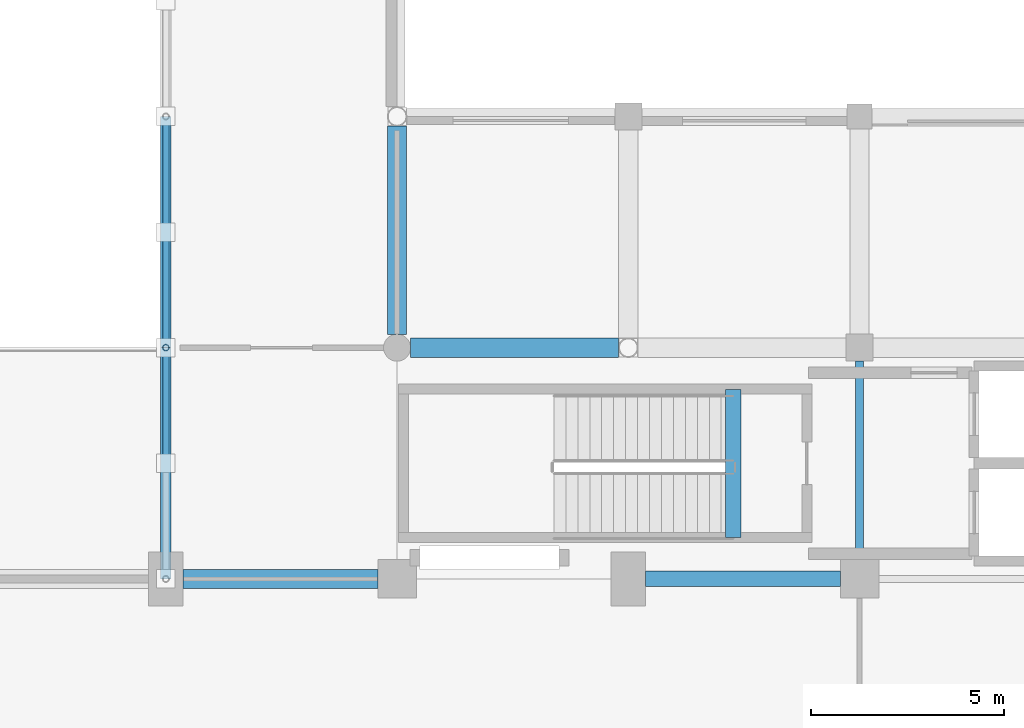
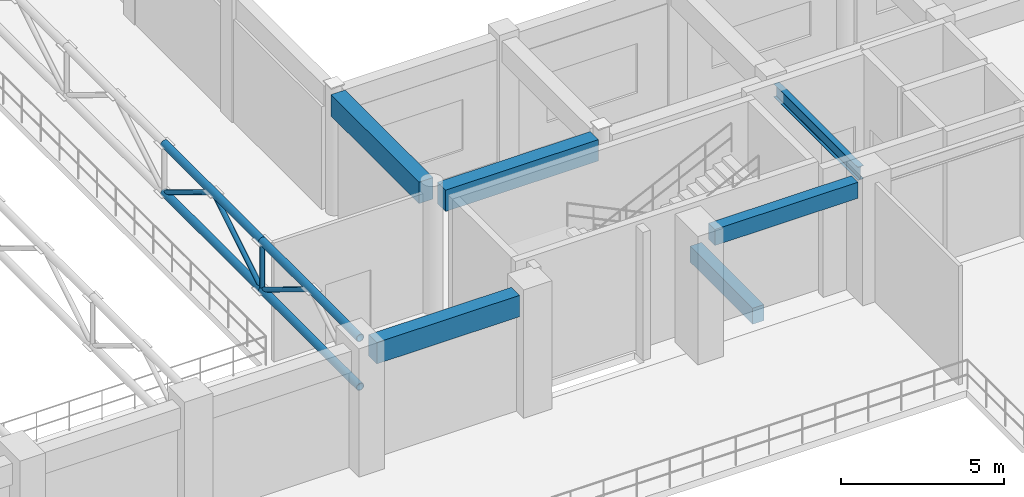
# One storey, part 38 of 123: 8 members, 6 beams.
"""IFC4 building model written with IfcOpenShell, lengths in metres."""

from ifc_helpers import new_model, si_unit, direction, frame, origin, origin_2d, place, context, subcontext, project, spatial, rectangle, hollow_circle, i_section, extrude, material, material_profile, profile_set, type_object, element, save


model = new_model("IFC4")

# Units and contexts
model_context = context("Model", 3, precision=1e-05, world=origin(), true_north=direction((0.0, 1.0)))
body_context = subcontext(model_context, "Body", "Model", "MODEL_VIEW")
ifc_project = project(units=[si_unit("LENGTHUNIT", "METRE"), si_unit("AREAUNIT", "SQUARE_METRE"), si_unit("VOLUMEUNIT", "CUBIC_METRE"), si_unit("PLANEANGLEUNIT", "RADIAN"), si_unit("MASSUNIT", "GRAM", prefix="KILO"), si_unit("THERMODYNAMICTEMPERATUREUNIT", "KELVIN"), si_unit("POWERUNIT", "WATT")], contexts=[model_context])

# Site, building, storey
site_placement = place(None, origin())
site = spatial("IfcSite", under=ifc_project, at=site_placement, CompositionType="ELEMENT")
building_placement = place(site_placement, origin())
building = spatial("IfcBuilding", under=site, at=building_placement, Name="Phaisarnlok Congress Hotel", CompositionType="ELEMENT")
storey_placement = place(building_placement, frame((0.0, 0.0, 15.0)))
storey = spatial("IfcBuildingStorey", under=building, at=storey_placement, Name="L03", CompositionType="ELEMENT", Elevation=15.0)

# Beams
ifc_material_1 = material(Name="Concrete C40/50", Category="concrete")
ifc_material_profile_1 = material_profile(ifc_material_1, rectangle(XDim=0.39990234375, YDim=0.60009765625, at=origin_2d()), Name="RC 400x600")
ifc_profile_set_1 = profile_set([ifc_material_profile_1], Name="Concrete C40/50")
beam_type_1 = type_object("IfcBeamType", Name="BM-RC-400x600", PredefinedType="BEAM", material=ifc_profile_set_1)
beam_1_placement = place(storey_placement, frame((48.445068359375, 84.0, 4.14990234375), z_axis=(1.0, 0.0, 0.0), x_axis=(0.0, 1.0, 0.0)))
element("IfcBeam", 1, at=beam_1_placement, inside=storey, type_object=beam_type_1, Name="Beam B-02", PredefinedType="BEAM", context=body_context, shape_type="SweptSolid", body=[
    extrude(rectangle(XDim=0.39990234375, YDim=0.60009765625, at=origin_2d()), origin(), (0.0, 0.0, 1.0), 5.059814453125),
])
beam_2_placement = place(storey_placement, frame((50.719970703125, 85.080078125, -0.300048828125), z_axis=(0.0, 1.0, 0.0), x_axis=(-1.0, 0.0, 0.0)))
element("IfcBeam", 2, at=beam_2_placement, inside=storey, type_object=beam_type_1, Name="Stair landing header beam B-02 (CORE-5 L03)", PredefinedType="BEAM", context=body_context, shape_type="SweptSolid", body=[
    extrude(rectangle(XDim=0.39990234375, YDim=0.60009765625, at=origin_2d()), origin(), (0.0, 0.0, 1.0), 3.83984375),
])
ifc_material_profile_2 = material_profile(ifc_material_1, rectangle(XDim=0.5, YDim=0.800048828125, at=origin_2d()), Name="RC 500x800")
ifc_profile_set_2 = profile_set([ifc_material_profile_2], Name="Concrete C40/50")
beam_type_2 = type_object("IfcBeamType", Name="BM-RC-500x800", PredefinedType="BEAM", material=ifc_profile_set_2)
beam_3_placement = place(storey_placement, frame((36.445068359375, 84.0, 4.050048828125), z_axis=(1.0, 0.0, 0.0), x_axis=(0.0, 1.0, 0.0)))
element("IfcBeam", 3, at=beam_3_placement, inside=storey, type_object=beam_type_2, Name="Beam B-04", PredefinedType="BEAM", context=body_context, shape_type="SweptSolid", body=[
    extrude(rectangle(XDim=0.5, YDim=0.800048828125, at=origin_2d()), origin(), (0.0, 0.0, 1.0), 5.059814453125),
])
for number, where, z_axis, x_axis, name in (
    (4, (42.344970703125, 90.0, 4.050048828125), (1.0, 0.0, 0.0), (0.0, 1.0, 0.0), "Beam B-04"),
    (5, (42.0, 90.344970703125, 4.195068359375), (0.0, 1.0, 0.0), (-1.0, 0.0, 0.0), "Beam B-04"),
):
    element("IfcBeam", number, at=place(storey_placement, frame(where, z_axis=z_axis, x_axis=x_axis)), inside=storey, type_object=beam_type_2, Name=name, PredefinedType="BEAM", context=body_context, shape_type="SweptSolid", body=[
        extrude(rectangle(XDim=0.5, YDim=0.800048828125, at=origin_2d()), origin(), (0.0, 0.0, 1.0), 5.406005859375),
    ])
ifc_material_2 = material(Name="Steel S355", Category="steel")
ifc_material_profile_3 = material_profile(ifc_material_2, i_section(OverallWidth=0.199951171875, OverallDepth=0.5, WebThickness=0.01025390625, FlangeThickness=0.01611328125, FilletRadius=0.02099609375, at=origin_2d()), Name="IPE 500")
ifc_profile_set_3 = profile_set([ifc_material_profile_3], Name="Steel S355")
beam_type_3 = type_object("IfcBeamType", Name="BM-STL-IPE500", PredefinedType="BEAM", material=ifc_profile_set_3)
beam_4_placement = place(storey_placement, frame((54.0, 84.4951171875, 4.199951171875), z_axis=(0.0, 1.0, 0.0), x_axis=(-1.0, 0.0, 0.0)))
element("IfcBeam", 6, at=beam_4_placement, inside=storey, type_object=beam_type_3, Name="Beam SB-02", PredefinedType="BEAM", context=body_context, shape_type="SweptSolid", body=[
    extrude(i_section(OverallWidth=0.199951171875, OverallDepth=0.5, WebThickness=0.01025390625, FlangeThickness=0.01611328125, FilletRadius=0.02099609375, at=origin_2d()), origin(), (0.0, 0.0, 1.0), 5.159912109375),
])

# Members
ifc_material_profile_4 = material_profile(ifc_material_2, hollow_circle(Radius=0.084228515625, WallThickness=0.010009765625, at=origin_2d()), Name="CHS 168.3x10")
ifc_profile_set_4 = profile_set([ifc_material_profile_4], Name="Steel S355")
member_type_1 = type_object("IfcMemberType", Name="MEM-BRC-CHS168", PredefinedType="BRACE", material=ifc_profile_set_4)
member_1_placement = place(storey_placement, frame((36.0, 90.0, 2.800048828125), z_axis=(0.0, -0.853724612577, 0.520724769797), x_axis=(1.0, 0.0, 0.0)))
element("IfcMember", 7, at=member_1_placement, inside=storey, type_object=member_type_1, Name="Spa pavilion truss diagonal TB-01", PredefinedType="BRACE", context=body_context, shape_type="SweptSolid", body=[
    extrude(hollow_circle(Radius=0.084228515625, WallThickness=0.010009765625, at=origin_2d()), origin(), (0.0, 0.0, 1.0), 3.513916015625),
])
member_2_placement = place(storey_placement, frame((36.0, 90.0, 2.800048828125), z_axis=(0.0, 0.0, 1.0), x_axis=(1.0, 0.0, 0.0)))
element("IfcMember", 8, at=member_2_placement, inside=storey, type_object=member_type_1, Name="Spa pavilion truss vertical TB-01", PredefinedType="BRACE", context=body_context, shape_type="SweptSolid", body=[
    extrude(hollow_circle(Radius=0.084228515625, WallThickness=0.010009765625, at=origin_2d()), origin(), (0.0, 0.0, 1.0), 1.829833984375),
])
for number, where, z_axis, x_axis, name in (
    (9, (36.0, 90.0, 2.800048828125), (0.0, 0.853724612577, 0.520724769797), (-1.0, 0.0, 0.0), "Spa pavilion truss diagonal TB-01"),
    (10, (36.0, 96.0, 2.800048828125), (0.0, -0.853724612577, 0.520724769797), (1.0, 0.0, 0.0), "Spa pavilion truss diagonal TB-01"),
):
    element("IfcMember", number, at=place(storey_placement, frame(where, z_axis=z_axis, x_axis=x_axis)), inside=storey, type_object=member_type_1, Name=name, PredefinedType="BRACE", context=body_context, shape_type="SweptSolid", body=[
        extrude(hollow_circle(Radius=0.084228515625, WallThickness=0.010009765625, at=origin_2d()), origin(), (0.0, 0.0, 1.0), 3.513916015625),
    ])
ifc_material_profile_5 = material_profile(ifc_material_2, hollow_circle(Radius=0.136474609375, WallThickness=0.01611328125, at=origin_2d()), Name="CHS 273x16")
ifc_profile_set_5 = profile_set([ifc_material_profile_5], Name="Steel S355")
member_type_2 = type_object("IfcMemberType", Name="MEM-CHD-CHS273", PredefinedType="CHORD", material=ifc_profile_set_5)
for number, where, z_axis, x_axis, name in (
    (11, (36.0, 84.0, 4.6298828125), (0.0, 1.0, 0.0), (-1.0, 0.0, 0.0), "Spa pavilion truss top chord TC-03"),
    (12, (36.0, 84.0, 2.800048828125), (0.0, 1.0, 0.0), (-1.0, 0.0, 0.0), "Spa pavilion truss bottom chord TC-03"),
    (13, (36.0, 90.0, 4.6298828125), (0.0, 1.0, 0.0), (-1.0, 0.0, 0.0), "Spa pavilion truss top chord TC-03"),
    (14, (36.0, 90.0, 2.800048828125), (0.0, 1.0, 0.0), (-1.0, 0.0, 0.0), "Spa pavilion truss bottom chord TC-03"),
):
    element("IfcMember", number, at=place(storey_placement, frame(where, z_axis=z_axis, x_axis=x_axis)), inside=storey, type_object=member_type_2, Name=name, PredefinedType="CHORD", context=body_context, shape_type="SweptSolid", body=[
        extrude(hollow_circle(Radius=0.136474609375, WallThickness=0.01611328125, at=origin_2d()), origin(), (0.0, 0.0, 1.0), 6.0),
    ])

save(model, "model.ifc")
